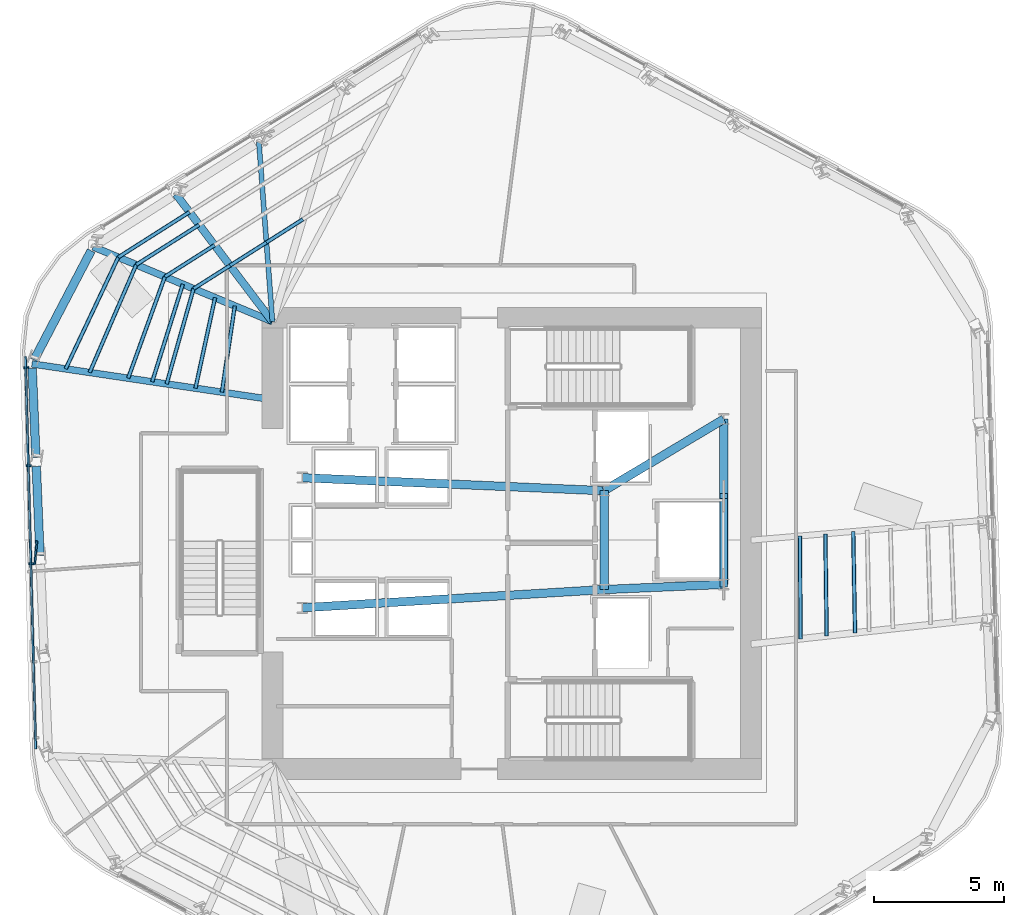
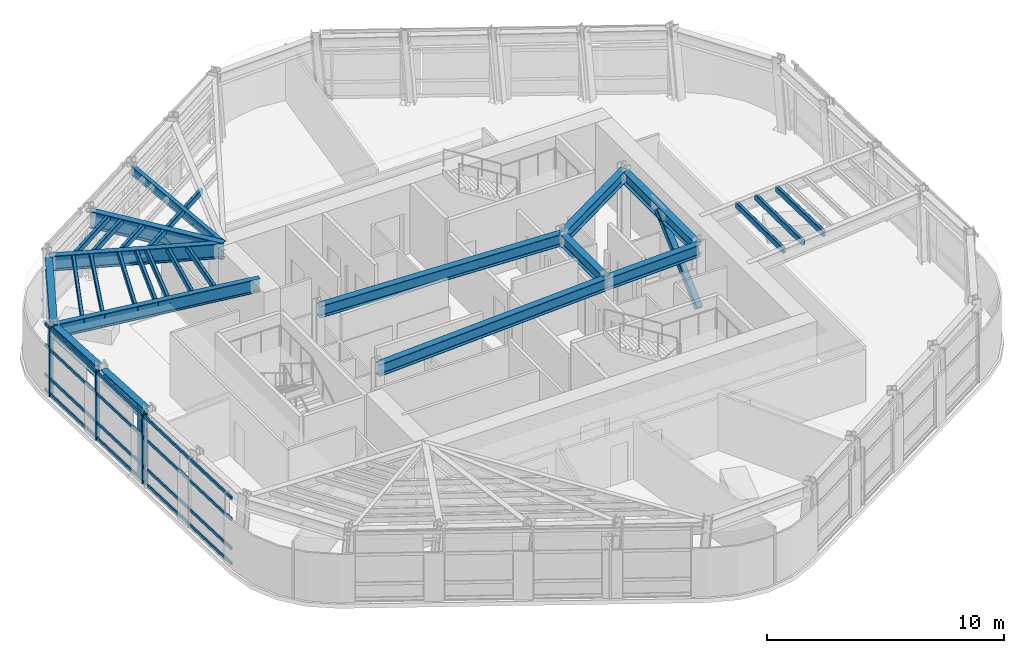
# One storey, part 4 of 15: 25 members, 13 beams, 1 element without a shape of its own.
"""IFC4 building model written with IfcOpenShell, lengths in metres."""

import ifcopenshell
import ifcopenshell.guid

model = None  # the IFC model being written
_history = None  # IfcOwnerHistory: only IFC2X3 demands one
_inside = {}  # id of a spatial element -> (the spatial element, [elements in it])
_under = {}  # id of a project, library or spatial element -> (it, [spatial elements below it])
_declared = {}  # id of a project -> (the project, [libraries it declares])
_typed = {}  # id of a type object -> (the type object, [elements of that type])
_made_of = {}  # id of a material, layer set ... -> (it, [elements and type objects made of it])


def new_model(schema):
    """Start an empty IFC model of exactly this schema.

    Asked for "IFC4X3", IfcOpenShell would pick the latest addendum, in which some entities
    have other attributes; the version numbers below select the first issue.
    IFC2X3 requires an IfcOwnerHistory on every rooted entity: one is made here for all.
    """
    global model, _history
    if schema == "IFC4X3":
        model = ifcopenshell.file(schema_version=(4, 3, 0, 0))
    else:
        model = ifcopenshell.file(schema=schema)
    _inside.clear()
    _under.clear()
    _declared.clear()
    _typed.clear()
    _made_of.clear()
    _history = None
    if model.schema == "IFC2X3":
        org = make("IfcOrganization", Name="unknown")
        user = make(
            "IfcPersonAndOrganization",
            ThePerson=make("IfcPerson", FamilyName="unknown"),
            TheOrganization=org,
        )
        app = make(
            "IfcApplication",
            ApplicationDeveloper=org,
            Version="unknown",
            ApplicationFullName="unknown",
            ApplicationIdentifier="unknown",
        )
        _history = make(
            "IfcOwnerHistory",
            OwningUser=user,
            OwningApplication=app,
            ChangeAction="ADDED",
            CreationDate=0,
        )
    return model


def make(cls, **values):
    """One entity of the class cls with the attributes given. An attribute that is None is left unset."""
    return model.create_entity(
        cls, **{name: value for name, value in values.items() if value is not None}
    )


def rooted(cls, **values):
    """An entity with a GlobalId (a new one), such as an element, a storey or a relation."""
    return make(cls, GlobalId=ifcopenshell.guid.new(), OwnerHistory=_history, **values)


def si_unit(unit_type, name, prefix=None):
    """IfcSIUnit, for example si_unit("LENGTHUNIT", "METRE", prefix="MILLI")."""
    return make("IfcSIUnit", UnitType=unit_type, Prefix=prefix, Name=name)


def assignment(units):
    """IfcUnitAssignment: the units of a project."""
    return None if units is None else make("IfcUnitAssignment", Units=units)


def point(xyz):
    """IfcCartesianPoint."""
    return None if xyz is None else make("IfcCartesianPoint", Coordinates=xyz)


def direction(xyz):
    """IfcDirection."""
    return None if xyz is None else make("IfcDirection", DirectionRatios=xyz)


def frame(location, z_axis=None, x_axis=None):
    """IfcAxis2Placement3D, a coordinate frame: its origin and axes. An axis left out is left unset."""
    return make(
        "IfcAxis2Placement3D",
        Location=point(location),
        Axis=direction(z_axis),
        RefDirection=direction(x_axis),
    )


def frame_2d(location, x_axis=None):
    """IfcAxis2Placement2D, a coordinate frame in the plane: its origin and x axis."""
    return make(
        "IfcAxis2Placement2D", Location=point(location), RefDirection=direction(x_axis)
    )


def origin():
    """The frame at (0, 0, 0) with its axes left unset."""
    return frame((0.0, 0.0, 0.0))


def origin_2d():
    """The frame at (0, 0) in the plane with its x axis left unset."""
    return frame_2d((0.0, 0.0))


def place(relative_to, where):
    """IfcLocalPlacement: puts the frame where relative to a parent placement (None: the world)."""
    return make(
        "IfcLocalPlacement", PlacementRelTo=relative_to, RelativePlacement=where
    )


def context(
    kind, dimensions, precision=None, world=None, true_north=None, identifier=None
):
    """IfcGeometricRepresentationContext, for example the 3D "Model" context."""
    return make(
        "IfcGeometricRepresentationContext",
        ContextIdentifier=identifier,
        ContextType=kind,
        CoordinateSpaceDimension=dimensions,
        Precision=precision,
        WorldCoordinateSystem=world,
        TrueNorth=true_north,
    )


def subcontext(parent, identifier, kind, view, scale=None):
    """IfcGeometricRepresentationSubContext, for example "Body" below "Model"."""
    return make(
        "IfcGeometricRepresentationSubContext",
        ContextIdentifier=identifier,
        ContextType=kind,
        ParentContext=parent,
        TargetScale=scale,
        TargetView=view,
    )


def project(units=None, contexts=None):
    """IfcProject with its units and contexts."""
    return rooted(
        "IfcProject",
        Name="project",
        RepresentationContexts=contexts,
        UnitsInContext=assignment(units),
    )


def spatial(cls, under=None, at=None, **own):
    """A site, building, storey or space (cls), placed at a placement, below another one or the project."""
    s = rooted(cls, ObjectPlacement=at, **own)
    if under is not None:
        _under.setdefault(under.id(), (under, []))[1].append(s)
    return s


def profile(cls, at=None, kind="AREA", **sizes):
    """A parametric profile (cls). Its sizes go by their IFC names, for example OverallWidth=200.0."""
    return make(cls, ProfileType=kind, Position=at, **sizes)


def rectangle(**sizes):
    """IfcRectangleProfileDef."""
    return profile("IfcRectangleProfileDef", **sizes)


def hollow_rectangle(**sizes):
    """IfcRectangleHollowProfileDef."""
    return profile("IfcRectangleHollowProfileDef", **sizes)


def i_section(**sizes):
    """IfcIShapeProfileDef."""
    return profile("IfcIShapeProfileDef", **sizes)


def extrude(swept, where, along, depth):
    """IfcExtrudedAreaSolid: the profile swept, set in the frame where, extruded along a direction by depth."""
    return make(
        "IfcExtrudedAreaSolid",
        SweptArea=swept,
        Position=where,
        ExtrudedDirection=direction(along),
        Depth=depth,
    )


def shape(context_of_items, identifier, shape_type, items):
    """IfcShapeRepresentation: the items that make up one representation, for example the "Body"."""
    return make(
        "IfcShapeRepresentation",
        ContextOfItems=context_of_items,
        RepresentationIdentifier=identifier,
        RepresentationType=shape_type,
        Items=items,
    )


def material(Name=None, Category=None):
    """IfcMaterial."""
    return make("IfcMaterial", Name=Name, Category=Category)


def layer(
    of_material, thickness, ventilated=None, Name=None, Category=None, Priority=None
):
    """IfcMaterialLayer: one layer of a wall or slab, of a material (None: an air gap)."""
    return make(
        "IfcMaterialLayer",
        Material=of_material,
        LayerThickness=thickness,
        IsVentilated=ventilated,
        Name=Name,
        Category=Category,
        Priority=Priority,
    )


def layer_set(layers, Name=None):
    """IfcMaterialLayerSet."""
    return make("IfcMaterialLayerSet", MaterialLayers=layers, LayerSetName=Name)


def material_profile(
    of_material, cross_section, Name=None, Category=None, Priority=None
):
    """IfcMaterialProfile: a cross section and its material."""
    return make(
        "IfcMaterialProfile",
        Name=Name,
        Material=of_material,
        Profile=cross_section,
        Priority=Priority,
        Category=Category,
    )


def profile_set(profiles, Name=None, composite=None):
    """IfcMaterialProfileSet."""
    return make(
        "IfcMaterialProfileSet",
        Name=Name,
        MaterialProfiles=profiles,
        CompositeProfile=composite,
    )


def made_of(thing, what):
    """Note that an element or type object is made of a material, layer set ...; save() writes the relation."""
    if what is not None:
        _made_of.setdefault(what.id(), (what, []))[1].append(thing)
    return thing


def type_object(cls, material=None, **own):
    """A type object (cls), such as IfcWallType, which elements share."""
    return made_of(rooted(cls, **own), material)


def element(
    cls,
    number,
    at=None,
    inside=None,
    cuts=None,
    type_object=None,
    material=None,
    context=None,
    identifier="Body",
    shape_type=None,
    held_by="IfcProductDefinitionShape",
    body=None,
    shapes=None,
    **own,
):
    """One element of the class cls, such as IfcWall. Its Tag is "e" and its number.

    at: its placement. inside: the storey or other place that contains it. cuts: it is an
    opening in that element (IfcRelVoidsElement). A single representation is given by context,
    identifier, shape_type and body (its items); several are given by shapes. held_by: the class
    of the entity that holds the representations. save() writes the other relations.
    """
    e = rooted(cls, Tag="e%d" % number, ObjectPlacement=at, **own)
    if body is not None:
        shapes = [shape(context, identifier, shape_type, body)]
    if shapes is not None:
        e.Representation = make(held_by, Representations=shapes)
    if inside is not None:
        _inside.setdefault(inside.id(), (inside, []))[1].append(e)
    if cuts is not None:
        rooted(
            "IfcRelVoidsElement", RelatingBuildingElement=cuts, RelatedOpeningElement=e
        )
    if type_object is not None:
        _typed.setdefault(type_object.id(), (type_object, []))[1].append(e)
    return made_of(e, material)


def aggregate(whole, parts):
    """IfcRelAggregates: a whole, such as a stair, and the parts it consists of."""
    return rooted("IfcRelAggregates", RelatingObject=whole, RelatedObjects=parts)


def save(model, path):
    """Write the relations noted so far, then the file.

    IfcRelAggregates (storeys below a building ...), IfcRelContainedInSpatialStructure (elements
    in a storey), IfcRelDefinesByType, IfcRelAssociatesMaterial and IfcRelDeclares: one each for
    every whole, place, type object, material and project.
    """
    for whole, parts in _under.values():
        aggregate(whole, parts)
    for where, things in _inside.values():
        rooted(
            "IfcRelContainedInSpatialStructure",
            RelatedElements=things,
            RelatingStructure=where,
        )
    for kind, things in _typed.values():
        rooted("IfcRelDefinesByType", RelatedObjects=things, RelatingType=kind)
    for what, things in _made_of.values():
        rooted("IfcRelAssociatesMaterial", RelatedObjects=things, RelatingMaterial=what)
    for by, libraries in _declared.values():
        rooted("IfcRelDeclares", RelatingContext=by, RelatedDefinitions=libraries)
    model.write(path)


model = new_model("IFC4")

# Units and contexts
model_context = context("Model", 3, precision=1e-05, world=origin(), true_north=direction((0.0, 1.0)))
body_context = subcontext(model_context, "Body", "Model", "MODEL_VIEW")
ifc_project = project(units=[si_unit("LENGTHUNIT", "METRE"), si_unit("AREAUNIT", "SQUARE_METRE"), si_unit("VOLUMEUNIT", "CUBIC_METRE"), si_unit("PLANEANGLEUNIT", "RADIAN"), si_unit("MASSUNIT", "GRAM", prefix="KILO")], contexts=[model_context])

# Site, building, storey
site_placement = place(None, origin())
site = spatial("IfcSite", under=ifc_project, at=site_placement, CompositionType="ELEMENT")
building_placement = place(site_placement, origin())
building = spatial("IfcBuilding", under=site, at=building_placement, Name="Valkerne Bourse Tower", CompositionType="ELEMENT")
storey_placement = place(building_placement, frame((0.0, 0.0, 159.0)))
storey = spatial("IfcBuildingStorey", under=building, at=storey_placement, Name="L40", CompositionType="ELEMENT", Elevation=159.0)

# Beams
ifc_material_1 = material(Name="Steel ASTM A992", Category="steel")
ifc_material_profile_1 = material_profile(ifc_material_1, i_section(OverallWidth=0.1904296875, OverallDepth=0.457275390625, WebThickness=0.009033203125, FlangeThickness=0.014404296875, FilletRadius=0.01513671875, at=origin_2d()), Name="W18X50")
ifc_profile_set_1 = profile_set([ifc_material_profile_1], Name="Steel ASTM A992")
beam_type_1 = type_object("IfcBeamType", Name="BM-W18X50", PredefinedType="JOIST", material=ifc_profile_set_1)
beam_1_placement = place(storey_placement, frame((37.078369140625, 42.31884765625, 3.351318359375), z_axis=(0.075192316907, -0.997169050602, 0.0), x_axis=(0.997169050602, 0.075192316907, 0.0)))
element("IfcBeam", 1, at=beam_1_placement, inside=storey, type_object=beam_type_1, Name="L40 Radial Composite Floor Beam 07", PredefinedType="JOIST", context=body_context, shape_type="SweptSolid", body=[
    extrude(i_section(OverallWidth=0.1904296875, OverallDepth=0.457275390625, WebThickness=0.009033203125, FlangeThickness=0.014404296875, FilletRadius=0.01513671875, at=origin_2d()), origin(), (0.0, 0.0, 1.0), 6.9384765625),
])
ifc_material_profile_2 = material_profile(ifc_material_1, i_section(OverallWidth=0.3251953125, OverallDepth=0.612060546875, WebThickness=0.0126953125, FlangeThickness=0.01904296875, FilletRadius=0.020263671875, at=origin_2d()), Name="W24X104")
ifc_profile_set_2 = profile_set([ifc_material_profile_2], Name="Steel ASTM A992")
beam_type_2 = type_object("IfcBeamType", Name="BM-W24X104", PredefinedType="BEAM", material=ifc_profile_set_2)
beam_2_placement = place(storey_placement, frame((50.35009765625, 25.10009765625, 3.27392578125), z_axis=(0.0, 1.0, 0.0), x_axis=(-1.0, 0.0, 0.0)))
element("IfcBeam", 2, at=beam_2_placement, inside=storey, type_object=beam_type_2, Name="L40 Core Frame Girder CG-CE", PredefinedType="BEAM", context=body_context, shape_type="SweptSolid", body=[
    extrude(i_section(OverallWidth=0.3251953125, OverallDepth=0.612060546875, WebThickness=0.0126953125, FlangeThickness=0.01904296875, FilletRadius=0.020263671875, at=origin_2d()), origin(), (0.0, 0.0, 1.0), 3.7998046875),
])
beam_3_placement = place(storey_placement, frame((50.35009765625, 25.10009765625, 3.27392578125), z_axis=(0.999056558506, 0.043428019819, 0.0), x_axis=(-0.043428019819, 0.999056558506, 0.0)))
element("IfcBeam", 3, at=beam_3_placement, inside=storey, type_object=beam_type_2, Name="L40 Core Frame Girder CG-SE", PredefinedType="BEAM", context=body_context, shape_type="SweptSolid", body=[
    extrude(i_section(OverallWidth=0.3251953125, OverallDepth=0.612060546875, WebThickness=0.0126953125, FlangeThickness=0.01904296875, FilletRadius=0.020263671875, at=origin_2d()), origin(), (0.0, 0.0, 1.0), 4.604248046875),
])
beam_4_placement = place(storey_placement, frame((50.35009765625, 28.89990234375, 3.27392578125), z_axis=(0.858307823492, 0.513135148019, 0.0), x_axis=(-0.513135148019, 0.858307823492, 0.0)))
element("IfcBeam", 4, at=beam_4_placement, inside=storey, type_object=beam_type_2, Name="L40 Core Frame Girder CG-NE", PredefinedType="BEAM", context=body_context, shape_type="SweptSolid", body=[
    extrude(i_section(OverallWidth=0.3251953125, OverallDepth=0.612060546875, WebThickness=0.0126953125, FlangeThickness=0.01904296875, FilletRadius=0.020263671875, at=origin_2d()), origin(), (0.0, 0.0, 1.0), 5.359130859375),
])
beam_5_placement = place(storey_placement, frame((54.949951171875, 25.300048828125, 3.27392578125), z_axis=(0.0, 1.0, 0.0), x_axis=(-1.0, 0.0, 0.0)))
element("IfcBeam", 5, at=beam_5_placement, inside=storey, type_object=beam_type_2, Name="L40 Core Frame Girder CG-EE", PredefinedType="BEAM", context=body_context, shape_type="SweptSolid", body=[
    extrude(i_section(OverallWidth=0.3251953125, OverallDepth=0.612060546875, WebThickness=0.0126953125, FlangeThickness=0.01904296875, FilletRadius=0.020263671875, at=origin_2d()), origin(), (0.0, 0.0, 1.0), 6.349853515625),
])
beam_6_placement = place(storey_placement, frame((38.75, 24.39990234375, 3.27392578125), z_axis=(0.998183228389, 0.060251494276, 0.0), x_axis=(-0.060251494276, 0.998183228389, 0.0)))
element("IfcBeam", 6, at=beam_6_placement, inside=storey, type_object=beam_type_2, Name="L40 Core Frame Girder CG-SW", PredefinedType="BEAM", context=body_context, shape_type="SweptSolid", body=[
    extrude(i_section(OverallWidth=0.3251953125, OverallDepth=0.612060546875, WebThickness=0.0126953125, FlangeThickness=0.01904296875, FilletRadius=0.020263671875, at=origin_2d()), origin(), (0.0, 0.0, 1.0), 11.62109375),
])
beam_7_placement = place(storey_placement, frame((38.75, 29.39990234375, 3.27392578125), z_axis=(0.999072354402, -0.043063101019, 0.0), x_axis=(0.043063101019, 0.999072354402, 0.0)))
element("IfcBeam", 7, at=beam_7_placement, inside=storey, type_object=beam_type_2, Name="L40 Core Frame Girder CG-NW", PredefinedType="BEAM", context=body_context, shape_type="SweptSolid", body=[
    extrude(i_section(OverallWidth=0.3251953125, OverallDepth=0.612060546875, WebThickness=0.0126953125, FlangeThickness=0.01904296875, FilletRadius=0.020263671875, at=origin_2d()), origin(), (0.0, 0.0, 1.0), 11.61083984375),
])
ifc_material_profile_3 = material_profile(ifc_material_1, i_section(OverallWidth=0.32763671875, OverallDepth=0.62744140625, WebThickness=0.0166015625, FlangeThickness=0.027587890625, FilletRadius=0.020263671875, at=origin_2d()), Name="W24X146")
ifc_profile_set_3 = profile_set([ifc_material_profile_3], Name="Steel ASTM A992")
beam_type_3 = type_object("IfcBeamType", Name="BM-W24X146", PredefinedType="SPANDREL", material=ifc_profile_set_3)
beam_8_placement = place(storey_placement, frame((30.631591796875, 38.126953125, 3.266357421875), z_axis=(-0.46325237056, -0.886226405142, 0.0), x_axis=(0.886226405142, -0.46325237056, 0.0)))
element("IfcBeam", 8, at=beam_8_placement, inside=storey, type_object=beam_type_3, Name="L40 Hexagonal Spandrel Ring Beam 09", PredefinedType="SPANDREL", context=body_context, shape_type="SweptSolid", body=[
    extrude(i_section(OverallWidth=0.32763671875, OverallDepth=0.62744140625, WebThickness=0.0166015625, FlangeThickness=0.027587890625, FilletRadius=0.020263671875, at=origin_2d()), origin(), (0.0, 0.0, 1.0), 4.739990234375),
])
beam_9_placement = place(storey_placement, frame((28.364013671875, 33.605712890625, 3.266357421875), z_axis=(0.041911719693, -0.999121317835, 0.0), x_axis=(0.999121317835, 0.041911719693, 0.0)))
element("IfcBeam", 9, at=beam_9_placement, inside=storey, type_object=beam_type_3, Name="L40 Hexagonal Spandrel Ring Beam 10", PredefinedType="SPANDREL", context=body_context, shape_type="SweptSolid", body=[
    extrude(i_section(OverallWidth=0.32763671875, OverallDepth=0.62744140625, WebThickness=0.0166015625, FlangeThickness=0.027587890625, FilletRadius=0.020263671875, at=origin_2d()), origin(), (0.0, 0.0, 1.0), 3.430908203125),
])
beam_10_placement = place(storey_placement, frame((28.52197265625, 29.837890625, 3.266357421875), z_axis=(0.041843661839, -0.999124170443, 0.0), x_axis=(0.999124170443, 0.041843661839, 0.0)))
element("IfcBeam", 10, at=beam_10_placement, inside=storey, type_object=beam_type_3, Name="L40 Hexagonal Spandrel Ring Beam 11", PredefinedType="SPANDREL", context=body_context, shape_type="SweptSolid", body=[
    extrude(i_section(OverallWidth=0.32763671875, OverallDepth=0.62744140625, WebThickness=0.0166015625, FlangeThickness=0.027587890625, FilletRadius=0.020263671875, at=origin_2d()), origin(), (0.0, 0.0, 1.0), 3.4306640625),
])
ifc_material_profile_4 = material_profile(ifc_material_1, i_section(OverallWidth=0.255859375, OverallDepth=0.693359375, WebThickness=0.014404296875, FlangeThickness=0.023681640625, FilletRadius=0.02294921875, at=origin_2d()), Name="W27X114")
ifc_profile_set_4 = profile_set([ifc_material_profile_4], Name="Steel ASTM A992")
beam_type_4 = type_object("IfcBeamType", Name="BM-W27X114", PredefinedType="BEAM", material=ifc_profile_set_4)
beam_11_placement = place(storey_placement, frame((28.35693359375, 33.775634765625, 3.2333984375), z_axis=(0.989104346691, -0.147216138236, 0.0), x_axis=(0.147216138236, 0.989104346691, 0.0)))
element("IfcBeam", 11, at=beam_11_placement, inside=storey, type_object=beam_type_4, Name="L40 Radial Composite Floor Beam 10", PredefinedType="BEAM", context=body_context, shape_type="SweptSolid", body=[
    extrude(i_section(OverallWidth=0.255859375, OverallDepth=0.693359375, WebThickness=0.014404296875, FlangeThickness=0.023681640625, FilletRadius=0.02294921875, at=origin_2d()), origin(), (0.0, 0.0, 1.0), 9.344970703125),
])
ifc_material_profile_5 = material_profile(ifc_material_1, i_section(OverallWidth=0.26806640625, OverallDepth=0.76953125, WebThickness=0.015625, FlangeThickness=0.025390625, FilletRadius=0.025390625, at=origin_2d()), Name="W30X132")
ifc_profile_set_5 = profile_set([ifc_material_profile_5], Name="Steel ASTM A992")
beam_type_5 = type_object("IfcBeamType", Name="BM-W30X132", PredefinedType="BEAM", material=ifc_profile_set_5)
beam_12_placement = place(storey_placement, frame((30.71044921875, 38.277587890625, 3.1953125), z_axis=(0.922743790921, -0.385413928546, 0.0), x_axis=(0.385413928546, 0.922743790921, 0.0)))
element("IfcBeam", 12, at=beam_12_placement, inside=storey, type_object=beam_type_5, Name="L40 Radial Composite Floor Beam 09", PredefinedType="BEAM", context=body_context, shape_type="SweptSolid", body=[
    extrude(i_section(OverallWidth=0.26806640625, OverallDepth=0.76953125, WebThickness=0.015625, FlangeThickness=0.025390625, FilletRadius=0.025390625, at=origin_2d()), origin(), (0.0, 0.0, 1.0), 7.466552734375),
])
ifc_material_profile_6 = material_profile(ifc_material_1, i_section(OverallWidth=0.2919921875, OverallDepth=0.8583984375, WebThickness=0.01708984375, FlangeThickness=0.031005859375, FilletRadius=0.025390625, at=origin_2d()), Name="W33X169")
ifc_profile_set_6 = profile_set([ifc_material_profile_6], Name="Steel ASTM A992")
beam_type_6 = type_object("IfcBeamType", Name="BM-W33X169", PredefinedType="BEAM", material=ifc_profile_set_6)
beam_13_placement = place(storey_placement, frame((33.894287109375, 40.298095703125, 3.15087890625), z_axis=(0.603346349363, -0.797479267888, 0.0), x_axis=(0.797479267888, 0.603346349363, 0.0)))
element("IfcBeam", 13, at=beam_13_placement, inside=storey, type_object=beam_type_6, Name="L40 Radial Composite Floor Beam 08", PredefinedType="BEAM", context=body_context, shape_type="SweptSolid", body=[
    extrude(i_section(OverallWidth=0.2919921875, OverallDepth=0.8583984375, WebThickness=0.01708984375, FlangeThickness=0.031005859375, FilletRadius=0.025390625, at=origin_2d()), origin(), (0.0, 0.0, 1.0), 6.14208984375),
])

# Curtain wall, members
ifc_material_2 = material(Name="Aluminium AA 6063-T6", Category="aluminium")
ifc_layer = layer(ifc_material_2, 0.235107421875)
ifc_layer_set = layer_set([ifc_layer], Name="Aluminium AA 6063-T6")
curtain_wall_type = type_object("IfcCurtainWallType", Name="CW-03", PredefinedType="NOTDEFINED", material=ifc_layer_set)
curtain_wall_placement = place(storey_placement, origin())
curtain_wall = element("IfcCurtainWall", 14, at=curtain_wall_placement, inside=storey, type_object=curtain_wall_type, Name="L40 Hexagonal Stick Curtain Wall Face 3", PredefinedType="NOTDEFINED")
ifc_material_profile_7 = material_profile(ifc_material_2, rectangle(XDim=0.074951171875, YDim=0.199951171875, at=origin_2d()), Name="CWM-75X200")
ifc_profile_set_7 = profile_set([ifc_material_profile_7], Name="Aluminium AA 6063-T6")
member_type_1 = type_object("IfcMemberType", Name="CW-MUL-220X75", PredefinedType="MULLION", material=ifc_profile_set_7)
member_1_placement = place(storey_placement, frame((28.13671875, 33.6357421875, 0.0), z_axis=(0.0, 0.0, 1.0), x_axis=(0.026173485138, -0.999657415656, 0.0)))
member_1 = element("IfcMember", 15, at=member_1_placement, type_object=member_type_1, Name="CW-L40-F3 Jamb Mullion 00A", PredefinedType="MULLION", context=body_context, shape_type="SweptSolid", body=[
    extrude(rectangle(XDim=0.074951171875, YDim=0.199951171875, at=origin_2d()), origin(), (0.0, 0.0, 1.0), 3.580078125),
])
member_2_placement = place(storey_placement, frame((28.2353515625, 29.865966796875, 0.0), z_axis=(0.0, 0.0, 1.0), x_axis=(0.026173485138, -0.999657415656, 0.0)))
member_2 = element("IfcMember", 16, at=member_2_placement, type_object=member_type_1, Name="CW-L40-F3 Jamb Mullion 01A", PredefinedType="MULLION", context=body_context, shape_type="SweptSolid", body=[
    extrude(rectangle(XDim=0.074951171875, YDim=0.199951171875, at=origin_2d()), origin(), (0.0, 0.0, 1.0), 3.580078125),
])
member_3_placement = place(storey_placement, frame((28.333984375, 26.09619140625, 0.0), z_axis=(0.0, 0.0, 1.0), x_axis=(0.026173485138, -0.999657415656, 0.0)))
member_3 = element("IfcMember", 17, at=member_3_placement, type_object=member_type_1, Name="CW-L40-F3 Jamb Mullion 02A", PredefinedType="MULLION", context=body_context, shape_type="SweptSolid", body=[
    extrude(rectangle(XDim=0.074951171875, YDim=0.199951171875, at=origin_2d()), origin(), (0.0, 0.0, 1.0), 3.580078125),
])
ifc_material_profile_8 = material_profile(ifc_material_2, rectangle(XDim=0.074951171875, YDim=0.14990234375, at=origin_2d()), Name="CWT-75X150")
ifc_profile_set_8 = profile_set([ifc_material_profile_8], Name="Aluminium AA 6063-T6")
member_type_2 = type_object("IfcMemberType", Name="CW-TRN-180X65", PredefinedType="USERDEFINED", material=ifc_profile_set_8)
member_4_placement = place(storey_placement, frame((28.105712890625, 34.05517578125, 0.1201171875), z_axis=(0.026171755167, -0.999657460949, 0.0), x_axis=(0.999657460949, 0.026171755167, 0.0)))
member_4 = element("IfcMember", 18, at=member_4_placement, type_object=member_type_2, Name="CW-L40-F3 Continuous Face Transom 1", ObjectType="TRANSOM", PredefinedType="USERDEFINED", context=body_context, shape_type="SweptSolid", body=[
    extrude(rectangle(XDim=0.074951171875, YDim=0.14990234375, at=origin_2d()), origin(), (0.0, 0.0, 1.0), 15.083984375),
])
member_5_placement = place(storey_placement, frame((28.105712890625, 34.05517578125, 0.89990234375), z_axis=(0.026171755167, -0.999657460949, 0.0), x_axis=(0.999657460949, 0.026171755167, 0.0)))
member_5 = element("IfcMember", 19, at=member_5_placement, type_object=member_type_2, Name="CW-L40-F3 Continuous Face Transom 2", ObjectType="TRANSOM", PredefinedType="USERDEFINED", context=body_context, shape_type="SweptSolid", body=[
    extrude(rectangle(XDim=0.074951171875, YDim=0.14990234375, at=origin_2d()), origin(), (0.0, 0.0, 1.0), 15.083984375),
])
member_6_placement = place(storey_placement, frame((28.105712890625, 34.05517578125, 2.39990234375), z_axis=(0.026171755167, -0.999657460949, 0.0), x_axis=(0.999657460949, 0.026171755167, 0.0)))
member_6 = element("IfcMember", 20, at=member_6_placement, type_object=member_type_2, Name="CW-L40-F3 Continuous Face Transom 3", ObjectType="TRANSOM", PredefinedType="USERDEFINED", context=body_context, shape_type="SweptSolid", body=[
    extrude(rectangle(XDim=0.074951171875, YDim=0.14990234375, at=origin_2d()), origin(), (0.0, 0.0, 1.0), 15.083984375),
])
member_7_placement = place(storey_placement, frame((28.105712890625, 34.05517578125, 3.5), z_axis=(0.026171755167, -0.999657460949, 0.0), x_axis=(0.999657460949, 0.026171755167, 0.0)))
member_7 = element("IfcMember", 21, at=member_7_placement, type_object=member_type_2, Name="CW-L40-F3 Continuous Face Transom 4", ObjectType="TRANSOM", PredefinedType="USERDEFINED", context=body_context, shape_type="SweptSolid", body=[
    extrude(rectangle(XDim=0.074951171875, YDim=0.14990234375, at=origin_2d()), origin(), (0.0, 0.0, 1.0), 15.083984375),
])
aggregate(curtain_wall, [member_4, member_5, member_6, member_7, member_1, member_2, member_3])

# Members
ifc_material_3 = material(Name="Bronze Anodised Aluminium AA 6063-T6", Category="aluminium")
ifc_material_profile_9 = material_profile(ifc_material_3, rectangle(XDim=0.070068359375, YDim=0.89990234375, at=origin_2d()), Name="FIN-70X900")
ifc_profile_set_9 = profile_set([ifc_material_profile_9], Name="Bronze Anodised Aluminium AA 6063-T6")
member_type_3 = type_object("IfcMemberType", Name="FIN-SOLAR-900", PredefinedType="USERDEFINED", material=ifc_profile_set_9)
member_8_placement = place(storey_placement, frame((28.503173828125, 26.52099609375, 0.00390625), z_axis=(0.0, 0.0, 1.0), x_axis=(-0.99591524387, 0.090293006528, 0.0)))
element("IfcMember", 22, at=member_8_placement, inside=storey, type_object=member_type_3, Name="L40 Bronze Anodised Solar Fin F3-02", ObjectType="SOLAR_FIN", PredefinedType="USERDEFINED", context=body_context, shape_type="SweptSolid", body=[
    extrude(rectangle(XDim=0.070068359375, YDim=0.89990234375, at=origin_2d()), origin(), (0.0, 0.0, 1.0), 3.572021484375),
])
ifc_material_4 = material(Name="Steel ASTM A500 Grade C", Category="steel")
ifc_material_profile_10 = material_profile(ifc_material_4, hollow_rectangle(XDim=0.14990234375, YDim=0.300048828125, WallThickness=0.012451171875, OuterFilletRadius=0.02490234375, at=origin_2d()), Name="HSS300X150X12.5")
ifc_profile_set_10 = profile_set([ifc_material_profile_10], Name="Steel ASTM A500 Grade C")
member_type_4 = type_object("IfcMemberType", Name="MBR-HSS300X150X12.5", PredefinedType="PURLIN", material=ifc_profile_set_10)
member_9_placement = place(storey_placement, frame((35.395263671875, 36.32080078125, 3.419921875), z_axis=(-0.211490326169, -0.977380090823, 0.0), x_axis=(0.977380090823, -0.211490326169, 0.0)))
element("IfcMember", 23, at=member_9_placement, inside=storey, type_object=member_type_4, Name="L40 Secondary Composite Floor Purlin I-09", PredefinedType="PURLIN", context=body_context, shape_type="SweptSolid", body=[
    extrude(hollow_rectangle(XDim=0.14990234375, YDim=0.300048828125, WallThickness=0.012451171875, OuterFilletRadius=0.02490234375, at=origin_2d()), origin(), (0.0, 0.0, 1.0), 3.561279296875),
])
member_10_placement = place(storey_placement, frame((58.9072265625, 23.3173828125, 3.419921875), z_axis=(-0.012872067809, 0.999917151503, 0.0), x_axis=(-0.999917151503, -0.012872067809, 0.0)))
element("IfcMember", 24, at=member_10_placement, inside=storey, type_object=member_type_4, Name="L40 Secondary Composite Floor Purlin I-26", PredefinedType="PURLIN", context=body_context, shape_type="SweptSolid", body=[
    extrude(hollow_rectangle(XDim=0.14990234375, YDim=0.300048828125, WallThickness=0.012451171875, OuterFilletRadius=0.02490234375, at=origin_2d()), origin(), (0.0, 0.0, 1.0), 3.926025390625),
])
member_11_placement = place(storey_placement, frame((38.771484375, 39.333251953125, 3.419921875), z_axis=(-0.844357584658, -0.535780056769, 0.0), x_axis=(0.535780056769, -0.844357584658, 0.0)))
element("IfcMember", 25, at=member_11_placement, inside=storey, type_object=member_type_4, Name="L40 Secondary Composite Floor Purlin K-06", PredefinedType="PURLIN", context=body_context, shape_type="SweptSolid", body=[
    extrude(hollow_rectangle(XDim=0.14990234375, YDim=0.300048828125, WallThickness=0.012451171875, OuterFilletRadius=0.02490234375, at=origin_2d()), origin(), (0.0, 0.0, 1.0), 1.6591796875),
])
member_12_placement = place(storey_placement, frame((37.37060546875, 38.4443359375, 3.419921875), z_axis=(-0.844333260151, -0.535818388825, 0.0), x_axis=(0.535818388825, -0.844333260151, 0.0)))
element("IfcMember", 26, at=member_12_placement, inside=storey, type_object=member_type_4, Name="L40 Secondary Composite Floor Purlin K-07", PredefinedType="PURLIN", context=body_context, shape_type="SweptSolid", body=[
    extrude(hollow_rectangle(XDim=0.14990234375, YDim=0.300048828125, WallThickness=0.012451171875, OuterFilletRadius=0.02490234375, at=origin_2d()), origin(), (0.0, 0.0, 1.0), 1.659423828125),
])
member_13_placement = place(storey_placement, frame((35.969482421875, 37.55517578125, 3.419921875), z_axis=(-0.84429101335, -0.535884954796, 0.0), x_axis=(0.535884954796, -0.84429101335, 0.0)))
element("IfcMember", 27, at=member_13_placement, inside=storey, type_object=member_type_4, Name="L40 Secondary Composite Floor Purlin K-08", PredefinedType="PURLIN", context=body_context, shape_type="SweptSolid", body=[
    extrude(hollow_rectangle(XDim=0.14990234375, YDim=0.300048828125, WallThickness=0.012451171875, OuterFilletRadius=0.02490234375, at=origin_2d()), origin(), (0.0, 0.0, 1.0), 1.6591796875),
])
member_14_placement = place(storey_placement, frame((34.568603515625, 36.666015625, 3.419921875), z_axis=(-0.272228296748, -0.962232692466, 0.0), x_axis=(0.962232692466, -0.272228296748, 0.0)))
element("IfcMember", 28, at=member_14_placement, inside=storey, type_object=member_type_4, Name="L40 Secondary Composite Floor Purlin K-09", PredefinedType="PURLIN", context=body_context, shape_type="SweptSolid", body=[
    extrude(hollow_rectangle(XDim=0.14990234375, YDim=0.300048828125, WallThickness=0.012451171875, OuterFilletRadius=0.02490234375, at=origin_2d()), origin(), (0.0, 0.0, 1.0), 3.804443359375),
])
member_15_placement = place(storey_placement, frame((59.99755859375, 23.4365234375, 3.419921875), z_axis=(-0.017848706499, 0.99984069915, 0.0), x_axis=(-0.99984069915, -0.017848706499, 0.0)))
element("IfcMember", 29, at=member_15_placement, inside=storey, type_object=member_type_4, Name="L40 Secondary Composite Floor Purlin K-26", PredefinedType="PURLIN", context=body_context, shape_type="SweptSolid", body=[
    extrude(hollow_rectangle(XDim=0.14990234375, YDim=0.300048828125, WallThickness=0.012451171875, OuterFilletRadius=0.02490234375, at=origin_2d()), origin(), (0.0, 0.0, 1.0), 3.8984375),
])
member_16_placement = place(storey_placement, frame((34.1552734375, 36.8388671875, 3.419921875), z_axis=(-0.29933564017, -0.95414787875, 0.0), x_axis=(0.95414787875, -0.29933564017, 0.0)))
element("IfcMember", 30, at=member_16_placement, inside=storey, type_object=member_type_4, Name="L40 Secondary Composite Floor Purlin M-09", PredefinedType="PURLIN", context=body_context, shape_type="SweptSolid", body=[
    extrude(hollow_rectangle(XDim=0.14990234375, YDim=0.300048828125, WallThickness=0.012451171875, OuterFilletRadius=0.02490234375, at=origin_2d()), origin(), (0.0, 0.0, 1.0), 3.93115234375),
])
member_17_placement = place(storey_placement, frame((34.78369140625, 39.12255859375, 3.419921875), z_axis=(-0.844316820024, -0.535844294012, 0.0), x_axis=(0.535844294012, -0.844316820024, 0.0)))
element("IfcMember", 31, at=member_17_placement, inside=storey, type_object=member_type_4, Name="L40 Secondary Composite Floor Purlin O-08", PredefinedType="PURLIN", context=body_context, shape_type="SweptSolid", body=[
    extrude(hollow_rectangle(XDim=0.14990234375, YDim=0.300048828125, WallThickness=0.012451171875, OuterFilletRadius=0.02490234375, at=origin_2d()), origin(), (0.0, 0.0, 1.0), 2.86572265625),
])
member_18_placement = place(storey_placement, frame((32.364013671875, 37.5869140625, 3.419921875), z_axis=(-0.39653035148, -0.91802161214, 0.0), x_axis=(0.91802161214, -0.39653035148, 0.0)))
element("IfcMember", 32, at=member_18_placement, inside=storey, type_object=member_type_4, Name="L40 Secondary Composite Floor Purlin O-09", PredefinedType="PURLIN", context=body_context, shape_type="SweptSolid", body=[
    extrude(hollow_rectangle(XDim=0.14990234375, YDim=0.300048828125, WallThickness=0.012451171875, OuterFilletRadius=0.02490234375, at=origin_2d()), origin(), (0.0, 0.0, 1.0), 4.51123046875),
])
member_19_placement = place(storey_placement, frame((35.376708984375, 38.3388671875, 3.419921875), z_axis=(-0.844371664271, -0.535757867489, 0.0), x_axis=(0.535757867489, -0.844371664271, 0.0)))
element("IfcMember", 33, at=member_19_placement, inside=storey, type_object=member_type_4, Name="L40 Secondary Composite Floor Purlin Z-08", PredefinedType="PURLIN", context=body_context, shape_type="SweptSolid", body=[
    extrude(hollow_rectangle(XDim=0.14990234375, YDim=0.300048828125, WallThickness=0.012451171875, OuterFilletRadius=0.02490234375, at=origin_2d()), origin(), (0.0, 0.0, 1.0), 2.262451171875),
])
member_20_placement = place(storey_placement, frame((33.46630859375, 37.126708984375, 3.419921875), z_axis=(-0.340344212272, -0.940300918415, 0.0), x_axis=(0.940300918415, -0.340344212272, 0.0)))
element("IfcMember", 34, at=member_20_placement, inside=storey, type_object=member_type_4, Name="L40 Secondary Composite Floor Purlin Z-09", PredefinedType="PURLIN", context=body_context, shape_type="SweptSolid", body=[
    extrude(hollow_rectangle(XDim=0.14990234375, YDim=0.300048828125, WallThickness=0.012451171875, OuterFilletRadius=0.02490234375, at=origin_2d()), origin(), (0.0, 0.0, 1.0), 4.149169921875),
])
member_21_placement = place(storey_placement, frame((36.1533203125, 36.00439453125, 3.419921875), z_axis=(-0.147485640572, -0.989064197019, 0.0), x_axis=(0.989064197019, -0.147485640572, 0.0)))
element("IfcMember", 35, at=member_21_placement, inside=storey, type_object=member_type_4, Name="L40 Secondary Composite Floor Purlin S-09", PredefinedType="PURLIN", context=body_context, shape_type="SweptSolid", body=[
    extrude(hollow_rectangle(XDim=0.14990234375, YDim=0.300048828125, WallThickness=0.012451171875, OuterFilletRadius=0.02490234375, at=origin_2d()), origin(), (0.0, 0.0, 1.0), 3.35205078125),
])
member_22_placement = place(storey_placement, frame((57.907958984375, 23.208251953125, 3.419921875), z_axis=(-0.008402545501, 0.999964697991, 0.0), x_axis=(-0.999964697991, -0.008402545501, 0.0)))
element("IfcMember", 36, at=member_22_placement, inside=storey, type_object=member_type_4, Name="L40 Secondary Composite Floor Purlin S-26", PredefinedType="PURLIN", context=body_context, shape_type="SweptSolid", body=[
    extrude(hollow_rectangle(XDim=0.14990234375, YDim=0.300048828125, WallThickness=0.012451171875, OuterFilletRadius=0.02490234375, at=origin_2d()), origin(), (0.0, 0.0, 1.0), 3.95166015625),
])
member_23_placement = place(storey_placement, frame((34.4130859375, 39.612548828125, 3.419921875), z_axis=(-0.844324180613, -0.535832695935, 0.0), x_axis=(0.535832695935, -0.844324180613, 0.0)))
element("IfcMember", 37, at=member_23_placement, inside=storey, type_object=member_type_4, Name="L40 Secondary Composite Floor Purlin T-08", PredefinedType="PURLIN", context=body_context, shape_type="SweptSolid", body=[
    extrude(hollow_rectangle(XDim=0.14990234375, YDim=0.300048828125, WallThickness=0.012451171875, OuterFilletRadius=0.02490234375, at=origin_2d()), origin(), (0.0, 0.0, 1.0), 3.2431640625),
])
member_24_placement = place(storey_placement, frame((31.6748046875, 37.874755859375, 3.419921875), z_axis=(-0.426535293242, -0.904470919167, 0.0), x_axis=(0.904470919167, -0.426535293242, 0.0)))
element("IfcMember", 38, at=member_24_placement, inside=storey, type_object=member_type_4, Name="L40 Secondary Composite Floor Purlin T-09", PredefinedType="PURLIN", context=body_context, shape_type="SweptSolid", body=[
    extrude(hollow_rectangle(XDim=0.14990234375, YDim=0.300048828125, WallThickness=0.012451171875, OuterFilletRadius=0.02490234375, at=origin_2d()), origin(), (0.0, 0.0, 1.0), 4.7451171875),
])
ifc_material_profile_11 = material_profile(ifc_material_4, hollow_rectangle(XDim=0.300048828125, YDim=0.300048828125, WallThickness=0.012451171875, OuterFilletRadius=0.02490234375, at=origin_2d()), Name="HSS300X300X12.5")
ifc_profile_set_11 = profile_set([ifc_material_profile_11], Name="Steel ASTM A500 Grade C")
member_type_5 = type_object("IfcMemberType", Name="MBR-HSS300X300X12.5", PredefinedType="STRUT", material=ifc_profile_set_11)
member_25_placement = place(storey_placement, frame((54.949951171875, 25.300048828125, 0.219970703125), z_axis=(0.0, 0.743941933778, 0.668244266094), x_axis=(-1.0, 0.0, 0.0)))
element("IfcMember", 39, at=member_25_placement, inside=storey, type_object=member_type_5, Name="L40 Core Service Pier Lateral Brace", PredefinedType="STRUT", context=body_context, shape_type="SweptSolid", body=[
    extrude(hollow_rectangle(XDim=0.300048828125, YDim=0.300048828125, WallThickness=0.012451171875, OuterFilletRadius=0.02490234375, at=origin_2d()), origin(), (0.0, 0.0, 1.0), 4.570068359375),
])

save(model, "model.ifc")
